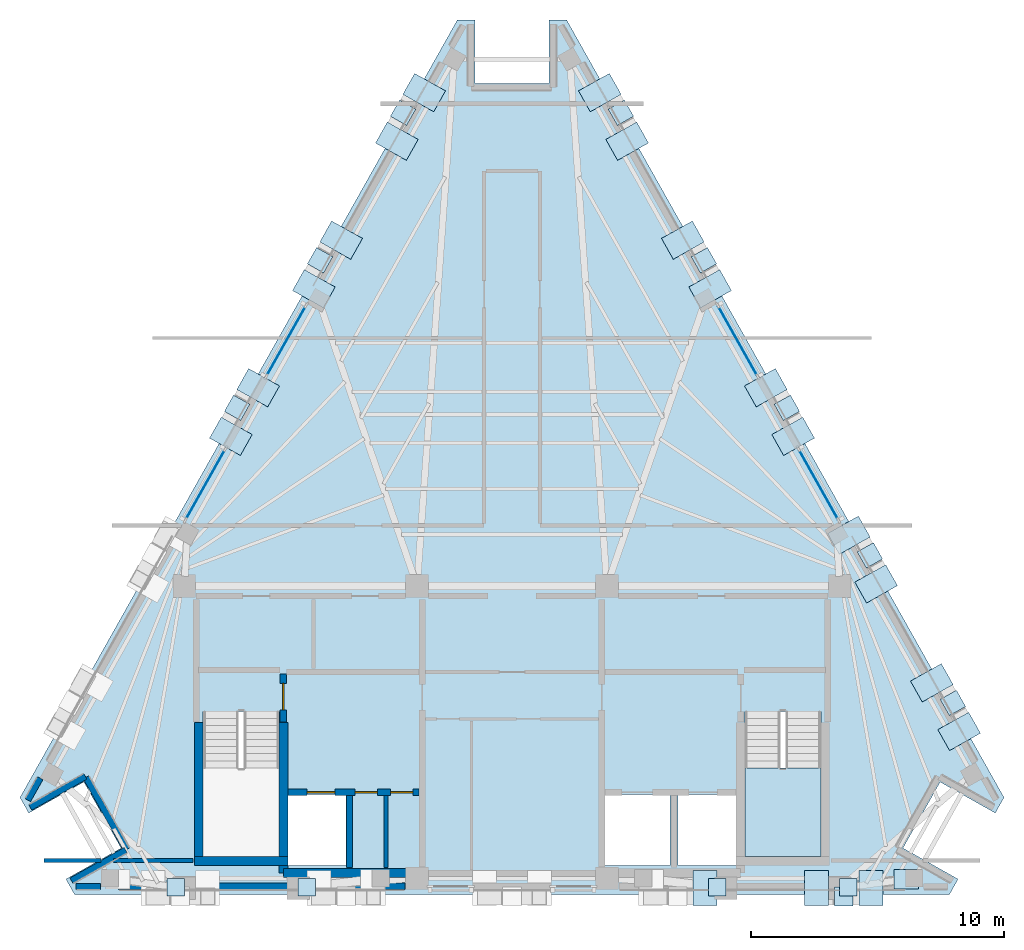
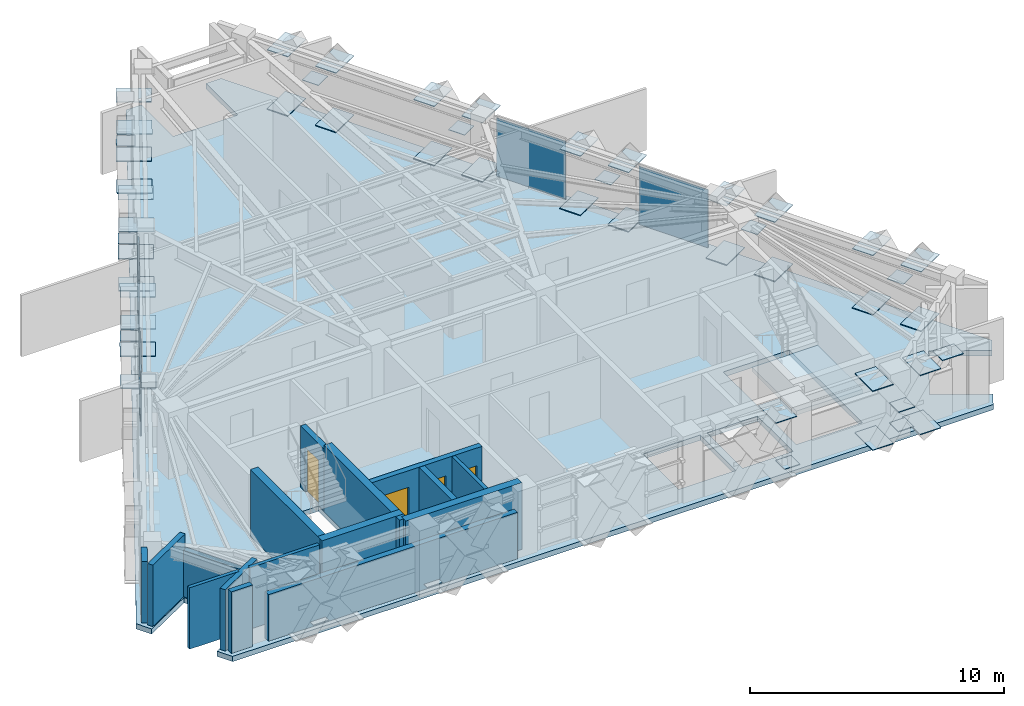
# One storey, part 4 of 8: 55 plates, 16 walls, 4 doors, 2 slabs, 4 openings, 5 elements without a shape of their own.
"""IFC4 building model written with IfcOpenShell, lengths in metres."""

from ifc_helpers import new_model, si_unit, direction, frame, frame_2d, origin, origin_2d, place, context, subcontext, project, spatial, polyline, rectangle, outline, extrude, material, layer, layer_set, type_object, element, fill, aggregate, save


model = new_model("IFC4")

# Units and contexts
model_context = context("Model", 3, precision=1e-05, world=origin(), true_north=direction((0.0, 1.0)))
body_context = subcontext(model_context, "Body", "Model", "MODEL_VIEW")
ifc_project = project(units=[si_unit("LENGTHUNIT", "METRE"), si_unit("AREAUNIT", "SQUARE_METRE"), si_unit("VOLUMEUNIT", "CUBIC_METRE"), si_unit("PLANEANGLEUNIT", "RADIAN"), si_unit("MASSUNIT", "GRAM", prefix="KILO")], contexts=[model_context])

# Site, building, storey
site_placement = place(None, origin())
site = spatial("IfcSite", under=ifc_project, at=site_placement, CompositionType="ELEMENT")
building_placement = place(site_placement, origin())
building = spatial("IfcBuilding", under=site, at=building_placement, Name="Quenlor Broadcast Tower", CompositionType="ELEMENT")
storey_placement = place(building_placement, frame((0.0, 0.0, 283.699951171875)))
storey = spatial("IfcBuildingStorey", under=building, at=storey_placement, Name="L79", CompositionType="ELEMENT", Elevation=283.699951171875)

# Curtain wall, plate
ifc_material_1 = material(Name="Architectural Terracotta and Low-E Glazing", Category="masonry")
curtain_wall_type = type_object("IfcCurtainWallType", Name="Station Concourse and Crown Terracotta Curtain Wall", PredefinedType="NOTDEFINED", material=ifc_material_1)
curtain_wall_1_placement = place(storey_placement, origin())
curtain_wall_1 = element("IfcCurtainWall", 1, at=curtain_wall_1_placement, inside=storey, type_object=curtain_wall_type, Name="L79 Curtain Wall CW6 (L79-NE-G1)", PredefinedType="NOTDEFINED")
ifc_material_2 = material(Name="Double Glazed Low-E Solar Glass", Category="glass")
ifc_layer_1 = layer(ifc_material_2, 0.033935546875)
ifc_layer_set_1 = layer_set([ifc_layer_1], Name="CW6 Double Glazed Vision Panel 34")
plate_type_1 = type_object("IfcPlateType", Name="CW6 Double Glazed Vision Panel 34", PredefinedType="CURTAIN_PANEL", material=ifc_layer_set_1)
plate_1_placement = place(storey_placement, frame((8.921630859375, 4.87646484375, 0.08203125), z_axis=(0.0, 0.0, 1.0), x_axis=(0.490268375367, -0.871571523235, 0.0)))
plate_1 = element("IfcPlate", 2, at=plate_1_placement, type_object=plate_type_1, Name="CW6 panel 1.1", PredefinedType="CURTAIN_PANEL", context=body_context, shape_type="SweptSolid", body=[
    extrude(rectangle(XDim=3.162841796875, YDim=0.033935546875, at=origin_2d()), origin(), (0.0, 0.0, 1.0), 2.785888671875),
])
aggregate(curtain_wall_1, [plate_1])

curtain_wall_2_placement = place(storey_placement, origin())
curtain_wall_2 = element("IfcCurtainWall", 3, at=curtain_wall_2_placement, inside=storey, type_object=curtain_wall_type, Name="L79 Curtain Wall CW6 (L79-NE-G2)", PredefinedType="NOTDEFINED")
plate_2_placement = place(storey_placement, frame((12.11181640625, -0.795166015625, 0.08203125), z_axis=(0.0, 0.0, 1.0), x_axis=(0.490268375367, -0.871571523235, 0.0)))
plate_2 = element("IfcPlate", 4, at=plate_2_placement, type_object=plate_type_1, Name="CW6 panel 1.1", PredefinedType="CURTAIN_PANEL", context=body_context, shape_type="SweptSolid", body=[
    extrude(rectangle(XDim=3.162841796875, YDim=0.033935546875, at=origin_2d()), origin(), (0.0, 0.0, 1.0), 2.785888671875),
])
aggregate(curtain_wall_2, [plate_2])

curtain_wall_3_placement = place(storey_placement, origin())
curtain_wall_3 = element("IfcCurtainWall", 5, at=curtain_wall_3_placement, inside=storey, type_object=curtain_wall_type, Name="L79 Curtain Wall CW6 (L79-NW-G1)", PredefinedType="NOTDEFINED")
plate_3_placement = place(storey_placement, frame((-12.11181640625, -0.795166015625, 0.08203125), z_axis=(0.0, 0.0, 1.0), x_axis=(0.490268375367, 0.871571523235, 0.0)))
plate_3 = element("IfcPlate", 6, at=plate_3_placement, type_object=plate_type_1, Name="CW6 panel 1.1", PredefinedType="CURTAIN_PANEL", context=body_context, shape_type="SweptSolid", body=[
    extrude(rectangle(XDim=3.162841796875, YDim=0.033935546875, at=origin_2d()), origin(), (0.0, 0.0, 1.0), 2.785888671875),
])
aggregate(curtain_wall_3, [plate_3])

curtain_wall_4_placement = place(storey_placement, origin())
curtain_wall_4 = element("IfcCurtainWall", 7, at=curtain_wall_4_placement, inside=storey, type_object=curtain_wall_type, Name="L79 Curtain Wall CW6 (L79-NW-G2)", PredefinedType="NOTDEFINED")
plate_4_placement = place(storey_placement, frame((-8.921630859375, 4.87646484375, 0.08203125), z_axis=(0.0, 0.0, 1.0), x_axis=(0.490268375367, 0.871571523235, 0.0)))
plate_4 = element("IfcPlate", 8, at=plate_4_placement, type_object=plate_type_1, Name="CW6 panel 1.1", PredefinedType="CURTAIN_PANEL", context=body_context, shape_type="SweptSolid", body=[
    extrude(rectangle(XDim=3.162841796875, YDim=0.033935546875, at=origin_2d()), origin(), (0.0, 0.0, 1.0), 2.785888671875),
])
aggregate(curtain_wall_4, [plate_4])

# Plates
ifc_material_3 = material(Name="Steel S355", Category="steel")
ifc_layer_2 = layer(ifc_material_3, 0.02490234375)
ifc_layer_set_2 = layer_set([ifc_layer_2], Name="Crown Eaves Transfer Steel S355 Cap Plate 700x700x25")
plate_type_2 = type_object("IfcPlateType", Name="Crown Eaves Transfer Steel S355 Cap Plate 700x700x25", PredefinedType="USERDEFINED", material=ifc_layer_set_2)
for number, where, z_axis, x_axis, name in (
    (9, (-13.286865234375, -16.704345703125, 0.237548828125), (0.0, 0.0, 1.0), (1.0, 0.0, 0.0), "L79 Crown Plant Base Plate CRN1-1"),
    (10, (13.286865234375, -16.704345703125, 0.237548828125), (0.0, 0.0, 1.0), (1.0, 0.0, 0.0), "L79 Crown Plant Base Plate CRN1-2"),
    (11, (-8.112548828125, -16.708740234375, 0.237548828125), (0.0, 0.0, 1.0), (1.0, 0.0, 0.0), "L79 Crown Plant Base Plate CRN1-3"),
    (12, (8.112548828125, -16.708740234375, 0.237548828125), (0.0, 0.0, 1.0), (1.0, 0.0, 0.0), "L79 Crown Plant Base Plate CRN1-4"),
):
    element("IfcPlate", number, at=place(storey_placement, frame(where, z_axis=z_axis, x_axis=x_axis)), inside=storey, type_object=plate_type_2, Name=name, ObjectType="CAP PLATE", PredefinedType="USERDEFINED", context=body_context, shape_type="SweptSolid", body=[
        extrude(rectangle(XDim=0.699951171875, YDim=0.699951171875, at=origin_2d()), origin(), (0.0, 0.0, 1.0), 0.02490234375),
    ])

# Slab
ifc_material_4 = material(Name="Concrete C50/60", Category="concrete")
ifc_layer_3 = layer(ifc_material_4, 0.320068359375)
ifc_layer_set_3 = layer_set([ifc_layer_3], Name="Crown Plant Concrete C50/60 Slab 320")
slab_type_1 = type_object("IfcSlabType", Name="Crown Plant Concrete C50/60 Slab 320", PredefinedType="FLOOR", material=ifc_layer_set_3)
slab_1_placement = place(storey_placement, frame((0.0, 0.0, -0.25)))
element("IfcSlab", 13, at=slab_1_placement, inside=storey, type_object=slab_type_1, Name="L79 Structural Floor Slab", PredefinedType="FLOOR", context=body_context, shape_type="SweptSolid", body=[
    extrude(outline(polyline([(17.280029296875, -17.0), (17.62548828125, -16.385498046875), (15.44677734375, -15.159912109375), (16.91552734375, -12.548583984375), (19.094482421875, -13.7744140625), (19.43994140625, -13.159912109375), (2.159912109375, 17.56005859375), (1.46875, 17.56005859375), (1.46875, 15.06005859375), (-1.46875, 15.06005859375), (-1.46875, 17.56005859375), (-2.159912109375, 17.56005859375), (-19.43994140625, -13.159912109375), (-19.094482421875, -13.7744140625), (-16.91552734375, -12.548583984375), (-15.44677734375, -15.159912109375), (-17.62548828125, -16.385498046875), (-17.280029296875, -17.0), (17.280029296875, -17.0)]), holes=[polyline([(-12.199951171875, -9.758056640625), (-12.199951171875, -15.5), (-9.199951171875, -15.5), (-9.199951171875, -9.758056640625), (-12.199951171875, -9.758056640625)]), polyline([(9.199951171875, -9.758056640625), (9.199951171875, -15.5), (12.199951171875, -15.5), (12.199951171875, -9.758056640625), (9.199951171875, -9.758056640625)]), polyline([(-8.85009765625, -15.85009765625), (-6.550048828125, -15.85009765625), (-6.550048828125, -13.050048828125), (-8.85009765625, -13.050048828125), (-8.85009765625, -15.85009765625)]), polyline([(6.550048828125, -15.85009765625), (8.85009765625, -15.85009765625), (8.85009765625, -13.050048828125), (6.550048828125, -13.050048828125), (6.550048828125, -15.85009765625)]), polyline([(3.64990234375, -15.85009765625), (6.25, -15.85009765625), (6.25, -13.050048828125), (3.64990234375, -13.050048828125), (3.64990234375, -15.85009765625)])]), origin(), (0.0, 0.0, 1.0), 0.25),
])

# Plates
ifc_material_5 = material(Name="Steel S355", Category="steel")
ifc_layer_4 = layer(ifc_material_5, 0.028076171875)
ifc_layer_set_4 = layer_set([ifc_layer_4], Name="Perimeter Lattice Node Steel S355 Cap Plate 740x740x28")
plate_type_3 = type_object("IfcPlateType", Name="Perimeter Lattice Node Steel S355 Cap Plate 740x740x28", PredefinedType="USERDEFINED", material=ifc_layer_set_4)
for number, where, z_axis, x_axis, name in (
    (14, (13.10400390625, -17.070068359375, 1.4658203125), (0.0, 0.0, 1.0), (-1.0, 0.0, 0.0), "L79 Diamond Lattice Crossing Node S-C1"),
    (15, (4.302001953125, 13.894775390625, 1.4658203125), (0.0, 0.0, 1.0), (0.490295412055, -0.871556314255, 0.0), "L79 Diamond Lattice Crossing Node NE-C1"),
    (16, (7.58154296875, 8.064697265625, 1.4658203125), (0.0, 0.0, 1.0), (0.490295412055, -0.871556314255, 0.0), "L79 Diamond Lattice Crossing Node NE-C2"),
    (17, (10.86083984375, 2.234375, 1.4658203125), (0.0, 0.0, 1.0), (0.490295412055, -0.871556314255, 0.0), "L79 Diamond Lattice Crossing Node NE-C3"),
    (18, (14.140380859375, -3.595947265625, 1.4658203125), (0.0, 0.0, 1.0), (0.490295412055, -0.871556314255, 0.0), "L79 Diamond Lattice Crossing Node NE-C4"),
    (19, (17.419921875, -9.426025390625, 1.4658203125), (0.0, 0.0, 1.0), (0.490295412055, -0.871556314255, 0.0), "L79 Diamond Lattice Crossing Node NE-C5"),
    (20, (-10.86083984375, 2.234375, 1.4658203125), (0.0, 0.0, 1.0), (0.490295412055, 0.871556314255, 0.0), "L79 Diamond Lattice Crossing Node NW-C3"),
    (21, (-7.58154296875, 8.064697265625, 1.4658203125), (0.0, 0.0, 1.0), (0.490295412055, 0.871556314255, 0.0), "L79 Diamond Lattice Crossing Node NW-C4"),
    (22, (-4.302001953125, 13.894775390625, 1.4658203125), (0.0, 0.0, 1.0), (0.490295412055, 0.871556314255, 0.0), "L79 Diamond Lattice Crossing Node NW-C5"),
):
    element("IfcPlate", number, at=place(storey_placement, frame(where, z_axis=z_axis, x_axis=x_axis)), inside=storey, type_object=plate_type_3, Name=name, ObjectType="CAP PLATE", PredefinedType="USERDEFINED", context=body_context, shape_type="SweptSolid", body=[
        extrude(rectangle(XDim=0.739990234375, YDim=0.739990234375, at=origin_2d()), origin(), (0.0, 0.0, 1.0), 0.028076171875),
    ])

# Stair, slab
ifc_material_6 = material(Name="Precast concrete C40/50", Category="concrete")
stair_type = type_object("IfcStairType", Name="Precast Concrete C40/50 Dogleg Stair H320", PredefinedType="HALF_TURN_STAIR", material=ifc_material_6)
stair_placement = place(storey_placement, origin())
stair = element("IfcStair", 23, at=stair_placement, inside=storey, type_object=stair_type, Name="L79 East Core Fire-Isolated Exit Stair ST-2", PredefinedType="HALF_TURN_STAIR")
ifc_material_7 = material(Name="Precast concrete C40/50", Category="concrete")
ifc_layer_5 = layer(ifc_material_7, 0.199951171875)
ifc_layer_set_5 = layer_set([ifc_layer_5], Name="Precast Concrete C40/50 Stair Landing Slab 200")
slab_type_2 = type_object("IfcSlabType", Name="Precast Concrete C40/50 Stair Landing Slab 200", PredefinedType="LANDING", material=ifc_layer_set_5)
slab_2_placement = place(storey_placement, frame((0.0, 0.0, 1.400146484375)))
slab_2 = element("IfcSlab", 24, at=slab_2_placement, type_object=slab_type_2, Name="ST-2 landing 1", PredefinedType="LANDING", context=body_context, shape_type="SweptSolid", body=[
    extrude(outline(polyline([(9.199951171875, -11.989990234375), (9.199951171875, -15.5), (12.199951171875, -15.5), (12.199951171875, -11.989990234375), (9.199951171875, -11.989990234375)])), origin(), (0.0, 0.0, 1.0), 0.199951171875),
])
aggregate(stair, [slab_2])

# Plates
ifc_material_8 = material(Name="Steel S355", Category="steel")
ifc_layer_6 = layer(ifc_material_8, 0.030029296875)
ifc_layer_set_6 = layer_set([ifc_layer_6], Name="Sloped Crown Ridge Steel S355 Gusset Plate 960x760x30")
plate_type_4 = type_object("IfcPlateType", Name="Sloped Crown Ridge Steel S355 Gusset Plate 960x760x30", PredefinedType="SHEET", material=ifc_layer_set_6)
plate_5_placement = place(storey_placement, frame((15.58056640625, -16.39306640625, 2.71484375), z_axis=(0.0, 0.0, 1.0), x_axis=(1.0, 0.0, 0.0)))
element("IfcPlate", 25, at=plate_5_placement, inside=storey, type_object=plate_type_4, Name="L79 Crown Plant Gusset Plate CRN2-2", PredefinedType="SHEET", context=body_context, shape_type="SweptSolid", body=[
    extrude(rectangle(XDim=0.9599609375, YDim=0.760009765625, at=origin_2d()), origin(), (0.0, 0.0, 1.0), 0.030029296875),
])
ifc_material_9 = material(Name="Steel S355", Category="steel")
ifc_layer_7 = layer(ifc_material_9, 0.035888671875)
ifc_layer_set_7 = layer_set([ifc_layer_7], Name="Transfer Truss Steel S355 Gusset Node Plate 1400x950x36")
plate_type_5 = type_object("IfcPlateType", Name="Transfer Truss Steel S355 Gusset Node Plate 1400x950x36", PredefinedType="SHEET", material=ifc_layer_set_7)
for number, where, z_axis, x_axis, name in (
    (26, (14.182861328125, -16.735107421875, 0.0419921875), (0.0, 0.0, 1.0), (0.0, -1.0, 0.0), "L79 Lattice Tie Gusset Node S-B1"),
    (27, (12.025146484375, -16.735107421875, 2.88232421875), (0.0, 0.0, 1.0), (0.0, -1.0, 0.0), "L79 Lattice Tie Gusset Node S-T2"),
    (28, (12.025146484375, -16.735107421875, 0.0419921875), (0.0, 0.0, 1.0), (0.0, -1.0, 0.0), "L79 Lattice Tie Gusset Node S-B2"),
    (29, (14.182861328125, -16.735107421875, 2.88232421875), (0.0, 0.0, 1.0), (0.0, -1.0, 0.0), "L79 Lattice Tie Gusset Node S-T1"),
    (30, (7.630859375, -16.735107421875, 2.88232421875), (0.0, 0.0, 1.0), (0.0, -1.0, 0.0), "L79 Lattice Tie Gusset Node S-T4"),
    (31, (3.469970703125, 14.690673828125, 0.0419921875), (0.0, 0.0, 1.0), (0.871556314255, 0.490295412055, 0.0), "L79 Lattice Tie Gusset Node NE-B1"),
    (32, (4.550048828125, 12.7705078125, 2.88232421875), (0.0, 0.0, 1.0), (0.871556314255, 0.490295412055, 0.0), "L79 Lattice Tie Gusset Node NE-T2"),
    (33, (4.550048828125, 12.7705078125, 0.0419921875), (0.0, 0.0, 1.0), (0.871556314255, 0.490295412055, 0.0), "L79 Lattice Tie Gusset Node NE-B2"),
    (34, (3.469970703125, 14.690673828125, 2.88232421875), (0.0, 0.0, 1.0), (0.871556314255, 0.490295412055, 0.0), "L79 Lattice Tie Gusset Node NE-T1"),
    (35, (6.74951171875, 8.8603515625, 0.0419921875), (0.0, 0.0, 1.0), (0.871556314255, 0.490295412055, 0.0), "L79 Lattice Tie Gusset Node NE-B4"),
    (36, (7.82958984375, 6.940185546875, 2.88232421875), (0.0, 0.0, 1.0), (0.871556314255, 0.490295412055, 0.0), "L79 Lattice Tie Gusset Node NE-T5"),
    (37, (7.82958984375, 6.940185546875, 0.0419921875), (0.0, 0.0, 1.0), (0.871556314255, 0.490295412055, 0.0), "L79 Lattice Tie Gusset Node NE-B5"),
    (38, (6.74951171875, 8.8603515625, 2.88232421875), (0.0, 0.0, 1.0), (0.871556314255, 0.490295412055, 0.0), "L79 Lattice Tie Gusset Node NE-T4"),
    (39, (10.029052734375, 3.0302734375, 0.0419921875), (0.0, 0.0, 1.0), (0.871556314255, 0.490295412055, 0.0), "L79 Lattice Tie Gusset Node NE-B7"),
    (40, (11.10888671875, 1.110107421875, 2.88232421875), (0.0, 0.0, 1.0), (0.871556314255, 0.490295412055, 0.0), "L79 Lattice Tie Gusset Node NE-T8"),
    (41, (11.10888671875, 1.110107421875, 0.0419921875), (0.0, 0.0, 1.0), (0.871556314255, 0.490295412055, 0.0), "L79 Lattice Tie Gusset Node NE-B8"),
    (42, (10.029052734375, 3.0302734375, 2.88232421875), (0.0, 0.0, 1.0), (0.871556314255, 0.490295412055, 0.0), "L79 Lattice Tie Gusset Node NE-T7"),
    (43, (13.30859375, -2.800048828125, 0.0419921875), (0.0, 0.0, 1.0), (0.871556314255, 0.490295412055, 0.0), "L79 Lattice Tie Gusset Node NE-B10"),
    (44, (14.388427734375, -4.72021484375, 2.88232421875), (0.0, 0.0, 1.0), (0.871556314255, 0.490295412055, 0.0), "L79 Lattice Tie Gusset Node NE-T11"),
    (45, (14.388427734375, -4.72021484375, 0.0419921875), (0.0, 0.0, 1.0), (0.871556314255, 0.490295412055, 0.0), "L79 Lattice Tie Gusset Node NE-B11"),
    (46, (13.30859375, -2.800048828125, 2.88232421875), (0.0, 0.0, 1.0), (0.871556314255, 0.490295412055, 0.0), "L79 Lattice Tie Gusset Node NE-T10"),
    (47, (16.587890625, -8.63037109375, 0.0419921875), (0.0, 0.0, 1.0), (0.871556314255, 0.490295412055, 0.0), "L79 Lattice Tie Gusset Node NE-B13"),
    (48, (17.66796875, -10.55029296875, 2.88232421875), (0.0, 0.0, 1.0), (0.871556314255, 0.490295412055, 0.0), "L79 Lattice Tie Gusset Node NE-T14"),
    (49, (17.66796875, -10.55029296875, 0.0419921875), (0.0, 0.0, 1.0), (0.871556314255, 0.490295412055, 0.0), "L79 Lattice Tie Gusset Node NE-B14"),
    (50, (16.587890625, -8.63037109375, 2.88232421875), (0.0, 0.0, 1.0), (0.871556314255, 0.490295412055, 0.0), "L79 Lattice Tie Gusset Node NE-T13"),
    (51, (-11.10888671875, 1.110107421875, 0.0419921875), (0.0, 0.0, 1.0), (-0.871556314255, 0.490295412055, 0.0), "L79 Lattice Tie Gusset Node NW-B7"),
    (52, (-10.029052734375, 3.0302734375, 2.88232421875), (0.0, 0.0, 1.0), (-0.871556314255, 0.490295412055, 0.0), "L79 Lattice Tie Gusset Node NW-T8"),
    (53, (-10.029052734375, 3.0302734375, 0.0419921875), (0.0, 0.0, 1.0), (-0.871556314255, 0.490295412055, 0.0), "L79 Lattice Tie Gusset Node NW-B8"),
    (54, (-11.10888671875, 1.110107421875, 2.88232421875), (0.0, 0.0, 1.0), (-0.871556314255, 0.490295412055, 0.0), "L79 Lattice Tie Gusset Node NW-T7"),
    (55, (-7.82958984375, 6.940185546875, 0.0419921875), (0.0, 0.0, 1.0), (-0.871556314255, 0.490295412055, 0.0), "L79 Lattice Tie Gusset Node NW-B10"),
    (56, (-6.74951171875, 8.8603515625, 2.88232421875), (0.0, 0.0, 1.0), (-0.871556314255, 0.490295412055, 0.0), "L79 Lattice Tie Gusset Node NW-T11"),
    (57, (-6.74951171875, 8.8603515625, 0.0419921875), (0.0, 0.0, 1.0), (-0.871556314255, 0.490295412055, 0.0), "L79 Lattice Tie Gusset Node NW-B11"),
    (58, (-7.82958984375, 6.940185546875, 2.88232421875), (0.0, 0.0, 1.0), (-0.871556314255, 0.490295412055, 0.0), "L79 Lattice Tie Gusset Node NW-T10"),
    (59, (-4.550048828125, 12.7705078125, 0.0419921875), (0.0, 0.0, 1.0), (-0.871556314255, 0.490295412055, 0.0), "L79 Lattice Tie Gusset Node NW-B13"),
    (60, (-3.469970703125, 14.690673828125, 2.88232421875), (0.0, 0.0, 1.0), (-0.871556314255, 0.490295412055, 0.0), "L79 Lattice Tie Gusset Node NW-T14"),
    (61, (-3.469970703125, 14.690673828125, 0.0419921875), (0.0, 0.0, 1.0), (-0.871556314255, 0.490295412055, 0.0), "L79 Lattice Tie Gusset Node NW-B14"),
    (62, (-4.550048828125, 12.7705078125, 2.88232421875), (0.0, 0.0, 1.0), (-0.871556314255, 0.490295412055, 0.0), "L79 Lattice Tie Gusset Node NW-T13"),
):
    element("IfcPlate", number, at=place(storey_placement, frame(where, z_axis=z_axis, x_axis=x_axis)), inside=storey, type_object=plate_type_5, Name=name, PredefinedType="SHEET", context=body_context, shape_type="SweptSolid", body=[
        extrude(rectangle(XDim=1.39990234375, YDim=0.949951171875, at=origin_2d()), origin(), (0.0, 0.0, 1.0), 0.035888671875),
    ])

# Walls
ifc_material_10 = material(Name="Concrete C50/60", Category="concrete")
ifc_layer_8 = layer(ifc_material_10, 0.35009765625)
ifc_layer_set_8 = layer_set([ifc_layer_8], Name="Core Concrete C50/60 Shear Wall 350")
wall_type_1 = type_object("IfcWallType", Name="Core Concrete C50/60 Shear Wall 350", PredefinedType="SHEAR", material=ifc_layer_set_8)
wall_1_placement = place(storey_placement, frame((-12.550048828125, -15.675048828125, 0.0), z_axis=(0.0, 0.0, 1.0), x_axis=(1.0, 0.0, 0.0)))
element("IfcWall", 63, at=wall_1_placement, inside=storey, type_object=wall_type_1, Name="L79 Core Shear Wall WS-W1", PredefinedType="SHEAR", context=body_context, shape_type="SweptSolid", body=[
    extrude(rectangle(XDim=3.699951171875, YDim=0.35009765625, at=frame_2d((1.85009765625, 0.0))), origin(), (0.0, 0.0, 1.0), 3.199951171875),
])
wall_2_placement = place(storey_placement, frame((-9.02490234375, -16.14990234375, 0.0), z_axis=(0.0, 0.0, 1.0), x_axis=(1.0, 0.0, 0.0)))
element("IfcWall", 64, at=wall_2_placement, inside=storey, type_object=wall_type_1, Name="L79 Core Shear Wall WS-W2", PredefinedType="SHEAR", context=body_context, shape_type="SweptSolid", body=[
    extrude(rectangle(XDim=5.27490234375, YDim=0.35009765625, at=frame_2d((2.637451171875, 0.0))), origin(), (0.0, 0.0, 1.0), 3.199951171875),
])
wall_3_placement = place(storey_placement, frame((-12.375, -15.675048828125, 0.0), z_axis=(0.0, 0.0, 1.0), x_axis=(0.0, 1.0, 0.0)))
element("IfcWall", 65, at=wall_3_placement, inside=storey, type_object=wall_type_1, Name="L79 Core Shear Wall WF-W", PredefinedType="SHEAR", context=body_context, shape_type="SweptSolid", body=[
    extrude(rectangle(XDim=5.47509765625, YDim=0.35009765625, at=frame_2d((2.737548828125, 0.0))), origin(), (0.0, 0.0, 1.0), 3.199951171875),
])
wall_4_placement = place(storey_placement, frame((-9.02490234375, -16.14990234375, 0.0), z_axis=(0.0, 0.0, 1.0), x_axis=(0.0, 1.0, 0.0)))
element("IfcWall", 66, at=wall_4_placement, inside=storey, type_object=wall_type_1, Name="L79 Core Shear Wall WI-W", PredefinedType="SHEAR", context=body_context, shape_type="SweptSolid", body=[
    extrude(rectangle(XDim=5.949951171875, YDim=0.35009765625, at=frame_2d((2.97509765625, 0.0))), origin(), (0.0, 0.0, 1.0), 3.199951171875),
])

# Wall, opening, door
ifc_material_11 = material(Name="Concrete C40/50", Category="concrete")
ifc_layer_9 = layer(ifc_material_11, 0.25)
ifc_layer_set_9 = layer_set([ifc_layer_9], Name="Fire Rated Concrete C40/50 Core Wall 250")
wall_type_2 = type_object("IfcWallType", Name="Fire Rated Concrete C40/50 Core Wall 250", PredefinedType="PARTITIONING", material=ifc_layer_set_9)
wall_5_placement = place(storey_placement, frame((-9.0400390625, -10.179931640625, 0.0), z_axis=(0.0, 0.0, 1.0), x_axis=(0.0, 1.0, 0.0)))
wall_5 = element("IfcWall", 67, at=wall_5_placement, inside=storey, type_object=wall_type_2, Name="L79 Interior Wall CW-ST1-DR", PredefinedType="PARTITIONING", context=body_context, shape_type="SweptSolid", body=[
    extrude(rectangle(XDim=1.89990234375, YDim=0.25, at=frame_2d((0.949951171875, 0.0))), origin(), (0.0, 0.0, 1.0), 2.949951171875),
])
opening_1_placement = place(wall_5_placement, frame((0.47998046875, 0.0, 0.0)))
opening_1 = element("IfcOpeningElement", 68, at=opening_1_placement, cuts=wall_5, Name="Opening FD-1", PredefinedType="OPENING", context=body_context, shape_type="SweptSolid", body=[
    extrude(rectangle(XDim=1.050048828125, YDim=2.14990234375, at=frame_2d((0.52490234375, 1.074951171875))), frame((0.0, 0.135009765625, 0.0), z_axis=(0.0, -1.0, 0.0), x_axis=(1.0, 0.0, 0.0)), (0.0, 0.0, 1.0), 0.27001953125),
])
ifc_material_12 = material(Name="Fire Rated Steel Door Leaf", Category="steel")
door_type_1 = type_object("IfcDoorType", Name="Fire Isolated Stair Door 1050x2150", OperationType="NOTDEFINED", PredefinedType="DOOR", material=ifc_material_12)
door_1_placement = place(opening_1_placement, origin())
door_1 = element("IfcDoor", 69, at=door_1_placement, inside=storey, type_object=door_type_1, Name="L79 Door DR-ST1", OperationType="SINGLE_SWING_LEFT", OverallHeight=2.14990234375, OverallWidth=1.050048828125, PredefinedType="DOOR", context=body_context, shape_type="SweptSolid", body=[
    extrude(rectangle(XDim=1.050048828125, YDim=2.14990234375, at=frame_2d((0.52490234375, 1.074951171875))), frame((0.0, 0.02490234375, 0.0), z_axis=(0.0, -1.0, 0.0), x_axis=(1.0, 0.0, 0.0)), (0.0, 0.0, 1.0), 0.050048828125),
])
fill(opening_1, door_1)

# Wall, openings, doors
wall_6_placement = place(storey_placement, frame((-8.847900390625, -12.949951171875, 0.0), z_axis=(0.0, 0.0, 1.0), x_axis=(1.0, 0.0, 0.0)))
wall_6 = element("IfcWall", 70, at=wall_6_placement, inside=storey, type_object=wall_type_2, Name="L79 Interior Wall CW-FFW-S", PredefinedType="PARTITIONING", context=body_context, shape_type="SweptSolid", body=[
    extrude(rectangle(XDim=5.16796875, YDim=0.25, at=frame_2d((2.583984375, 0.0))), origin(), (0.0, 0.0, 1.0), 2.949951171875),
])
opening_2_placement = place(wall_6_placement, frame((0.748046875, 0.0, 0.0)))
opening_2 = element("IfcOpeningElement", 71, at=opening_2_placement, cuts=wall_6, Name="Opening LD-FFL-1", PredefinedType="OPENING", context=body_context, shape_type="SweptSolid", body=[
    extrude(rectangle(XDim=1.10009765625, YDim=2.14990234375, at=frame_2d((0.550048828125, 1.074951171875))), frame((0.0, 0.135009765625, 0.0), z_axis=(0.0, -1.0, 0.0), x_axis=(1.0, 0.0, 0.0)), (0.0, 0.0, 1.0), 0.27001953125),
])
opening_3_placement = place(wall_6_placement, frame((2.64794921875, 0.0, 0.0)))
opening_3 = element("IfcOpeningElement", 72, at=opening_3_placement, cuts=wall_6, Name="Opening TD-1", PredefinedType="OPENING", context=body_context, shape_type="SweptSolid", body=[
    extrude(rectangle(XDim=0.8798828125, YDim=2.10009765625, at=frame_2d((0.43994140625, 1.050048828125))), frame((0.0, 0.135009765625, 0.0), z_axis=(0.0, -1.0, 0.0), x_axis=(1.0, 0.0, 0.0)), (0.0, 0.0, 1.0), 0.27001953125),
])
opening_4_placement = place(wall_6_placement, frame((4.048095703125, 0.0, 0.0)))
opening_4 = element("IfcOpeningElement", 73, at=opening_4_placement, cuts=wall_6, Name="Opening TD-1", PredefinedType="OPENING", context=body_context, shape_type="SweptSolid", body=[
    extrude(rectangle(XDim=0.8798828125, YDim=2.10009765625, at=frame_2d((0.43994140625, 1.050048828125))), frame((0.0, 0.135009765625, 0.0), z_axis=(0.0, -1.0, 0.0), x_axis=(1.0, 0.0, 0.0)), (0.0, 0.0, 1.0), 0.27001953125),
])
ifc_material_13 = material(Name="Brushed Stainless Steel", Category="steel")
door_type_2 = type_object("IfcDoorType", Name="Emergency Lift Sliding Landing Door 1100x2150", OperationType="NOTDEFINED", PredefinedType="DOOR", material=ifc_material_13)
door_2_placement = place(opening_2_placement, origin())
door_2 = element("IfcDoor", 74, at=door_2_placement, inside=storey, type_object=door_type_2, Name="L79 Door LD-FFL-1", OperationType="SLIDING_TO_LEFT", OverallHeight=2.14990234375, OverallWidth=1.10009765625, PredefinedType="DOOR", context=body_context, shape_type="SweptSolid", body=[
    extrude(rectangle(XDim=1.10009765625, YDim=2.14990234375, at=frame_2d((0.550048828125, 1.074951171875))), frame((0.0, 0.02490234375, 0.0), z_axis=(0.0, -1.0, 0.0), x_axis=(1.0, 0.0, 0.0)), (0.0, 0.0, 1.0), 0.050048828125),
])
fill(opening_2, door_2)
ifc_material_14 = material(Name="Fire Rated Steel Access Panel", Category="steel")
door_type_3 = type_object("IfcDoorType", Name="Riser Shaft Rated Access Trapdoor 880x2100", OperationType="NOTDEFINED", PredefinedType="TRAPDOOR", material=ifc_material_14)
door_3_placement = place(opening_3_placement, origin())
door_3 = element("IfcDoor", 75, at=door_3_placement, inside=storey, type_object=door_type_3, Name="L79 Door DR-ELR", OperationType="SINGLE_SWING_LEFT", OverallHeight=2.10009765625, OverallWidth=0.8798828125, PredefinedType="TRAPDOOR", context=body_context, shape_type="SweptSolid", body=[
    extrude(rectangle(XDim=0.8798828125, YDim=2.10009765625, at=frame_2d((0.43994140625, 1.050048828125))), frame((0.0, 0.02490234375, 0.0), z_axis=(0.0, -1.0, 0.0), x_axis=(1.0, 0.0, 0.0)), (0.0, 0.0, 1.0), 0.050048828125),
])
fill(opening_3, door_3)
door_4_placement = place(opening_4_placement, origin())
door_4 = element("IfcDoor", 76, at=door_4_placement, inside=storey, type_object=door_type_3, Name="L79 Door DR-CMR", OperationType="SINGLE_SWING_RIGHT", OverallHeight=2.10009765625, OverallWidth=0.8798828125, PredefinedType="TRAPDOOR", context=body_context, shape_type="SweptSolid", body=[
    extrude(rectangle(XDim=0.8798828125, YDim=2.10009765625, at=frame_2d((0.43994140625, 1.050048828125))), frame((0.0, 0.02490234375, 0.0), z_axis=(0.0, -1.0, 0.0), x_axis=(1.0, 0.0, 0.0)), (0.0, 0.0, 1.0), 0.050048828125),
])
fill(opening_4, door_4)

# Walls
wall_7_placement = place(storey_placement, frame((-6.419921875, -15.919921875, 0.0), z_axis=(0.0, 0.0, 1.0), x_axis=(0.0, 1.0, 0.0)))
element("IfcWall", 77, at=wall_7_placement, inside=storey, type_object=wall_type_2, Name="L79 Interior Wall CW-FF1-E", PredefinedType="PARTITIONING", context=body_context, shape_type="SweptSolid", body=[
    extrude(rectangle(XDim=2.829833984375, YDim=0.25, at=frame_2d((1.4150390625, 0.0))), origin(), (0.0, 0.0, 1.0), 2.949951171875),
])
ifc_material_15 = material(Name="Gypsum Fireboard Partition", Category="other")
ifc_layer_10 = layer(ifc_material_15, 0.159912109375)
ifc_layer_set_10 = layer_set([ifc_layer_10], Name="Fire Rated Shaft and Corridor Partition 160")
wall_type_3 = type_object("IfcWallType", Name="Fire Rated Shaft and Corridor Partition 160", PredefinedType="PARTITIONING", material=ifc_layer_set_10)
wall_8_placement = place(storey_placement, frame((-4.97998046875, -15.919921875, 0.0), z_axis=(0.0, 0.0, 1.0), x_axis=(0.0, 1.0, 0.0)))
element("IfcWall", 78, at=wall_8_placement, inside=storey, type_object=wall_type_3, Name="L79 Interior Wall CW-ELR-E", PredefinedType="PARTITIONING", context=body_context, shape_type="SweptSolid", body=[
    extrude(rectangle(XDim=2.829833984375, YDim=0.159912109375, at=frame_2d((1.4150390625, 0.0))), origin(), (0.0, 0.0, 1.0), 2.949951171875),
])
wall_9_placement = place(storey_placement, frame((-18.5, -15.64990234375, 0.0), z_axis=(0.0, 0.0, 1.0), x_axis=(1.0, 0.0, 0.0)))
element("IfcWall", 79, at=wall_9_placement, inside=storey, type_object=wall_type_3, Name="L79 Interior Wall PW-PL-SBOTW", PredefinedType="PARTITIONING", context=body_context, shape_type="SweptSolid", body=[
    extrude(rectangle(XDim=2.259521484375, YDim=0.159912109375, at=frame_2d((1.1298828125, 0.0))), origin(), (0.0, 0.0, 1.0), 2.949951171875),
])
wall_10_placement = place(storey_placement, frame((-15.742919921875, -15.64990234375, 0.0), z_axis=(0.0, 0.0, 1.0), x_axis=(1.0, 0.0, 0.0)))
element("IfcWall", 80, at=wall_10_placement, inside=storey, type_object=wall_type_3, Name="L79 Interior Wall PW-PL-SBOTWS2", PredefinedType="PARTITIONING", context=body_context, shape_type="SweptSolid", body=[
    extrude(rectangle(XDim=3.142822265625, YDim=0.159912109375, at=frame_2d((1.5712890625, 0.0))), origin(), (0.0, 0.0, 1.0), 2.949951171875),
])
ifc_material_16 = material(Name="Precast concrete C40/50", Category="concrete")
ifc_layer_11 = layer(ifc_material_16, 0.239990234375)
ifc_layer_set_11 = layer_set([ifc_layer_11], Name="Terrace Threshold Precast Concrete C40/50 Wall 240")
wall_type_4 = type_object("IfcWallType", Name="Terrace Threshold Precast Concrete C40/50 Wall 240", PredefinedType="STANDARD", material=ifc_layer_set_11)
wall_11_placement = place(storey_placement, frame((-16.252685546875, -16.675048828125, 0.0), z_axis=(0.0, 0.0, 1.0), x_axis=(-1.0, 0.0, 0.0)))
element("IfcWall", 81, at=wall_11_placement, inside=storey, type_object=wall_type_4, Name="L79 Exterior Wall L79-SHD-SS1", PredefinedType="STANDARD", context=body_context, shape_type="SweptSolid", body=[
    extrude(rectangle(XDim=0.96728515625, YDim=0.239990234375, at=frame_2d((0.483642578125, 0.0))), origin(), (0.0, 0.0, 1.0), 2.949951171875),
])
wall_12_placement = place(storey_placement, frame((-19.127197265625, -13.26708984375, 0.0), z_axis=(0.0, 0.0, 1.0), x_axis=(0.490261239633, 0.871575537125, 0.0)))
element("IfcWall", 82, at=wall_12_placement, inside=storey, type_object=wall_type_4, Name="L79 Exterior Wall L79-SHD-NWS0", PredefinedType="STANDARD", context=body_context, shape_type="SweptSolid", body=[
    extrude(rectangle(XDim=0.994873046875, YDim=0.239990234375, at=frame_2d((0.49755859375, 0.0))), origin(), (0.0, 0.0, 1.0), 2.949951171875),
])
wall_13_placement = place(storey_placement, frame((-19.033447265625, -13.556396484375, 0.0), z_axis=(0.0, 0.0, 1.0), x_axis=(0.871588577066, 0.490238056792, 0.0)))
element("IfcWall", 83, at=wall_13_placement, inside=storey, type_object=wall_type_4, Name="L79 Exterior Wall L79-CNR-13", PredefinedType="STANDARD", context=body_context, shape_type="SweptSolid", body=[
    extrude(rectangle(XDim=2.5, YDim=0.239990234375, at=frame_2d((1.25, 0.0))), origin(), (0.0, 0.0, 1.0), 2.949951171875),
])
wall_14_placement = place(storey_placement, frame((-16.8349609375, -12.36572265625, 0.0), z_axis=(0.0, 0.0, 1.0), x_axis=(0.490293083368, -0.871557624258, 0.0)))
element("IfcWall", 84, at=wall_14_placement, inside=storey, type_object=wall_type_4, Name="L79 Exterior Wall L79-CNR-14", PredefinedType="STANDARD", context=body_context, shape_type="SweptSolid", body=[
    extrude(rectangle(XDim=3.276123046875, YDim=0.239990234375, at=frame_2d((1.63818359375, 0.0))), origin(), (0.0, 0.0, 1.0), 2.234130859375),
])
wall_15_placement = place(storey_placement, frame((-15.263671875, -15.240478515625, 0.0), z_axis=(0.0, 0.0, 1.0), x_axis=(-0.87157023615, -0.490270663468, 0.0)))
element("IfcWall", 85, at=wall_15_placement, inside=storey, type_object=wall_type_4, Name="L79 Exterior Wall L79-CNR-15", PredefinedType="STANDARD", context=body_context, shape_type="SweptSolid", body=[
    extrude(rectangle(XDim=2.4599609375, YDim=0.239990234375, at=frame_2d((1.22998046875, 0.0))), origin(), (0.0, 0.0, 1.0), 2.949951171875),
])
ifc_material_17 = material(Name="Precast concrete C40/50", Category="concrete")
ifc_layer_12 = layer(ifc_material_17, 0.260009765625)
ifc_layer_set_12 = layer_set([ifc_layer_12], Name="Terracotta Precast Concrete C40/50 Upper Wall 260")
wall_type_5 = type_object("IfcWallType", Name="Terracotta Precast Concrete C40/50 Upper Wall 260", PredefinedType="STANDARD", material=ifc_layer_set_12)
wall_16_placement = place(storey_placement, frame((-4.219970703125, -16.675048828125, 0.0), z_axis=(0.0, 0.0, 1.0), x_axis=(-1.0, 0.0, 0.0)))
element("IfcWall", 86, at=wall_16_placement, inside=storey, type_object=wall_type_5, Name="L79 Exterior Wall L79-EW-SC", PredefinedType="STANDARD", context=body_context, shape_type="SweptSolid", body=[
    extrude(rectangle(XDim=11.322509765625, YDim=0.260009765625, at=frame_2d((5.6611328125, 0.0))), origin(), (0.0, 0.0, 1.0), 2.234130859375),
])

save(model, "model.ifc")
